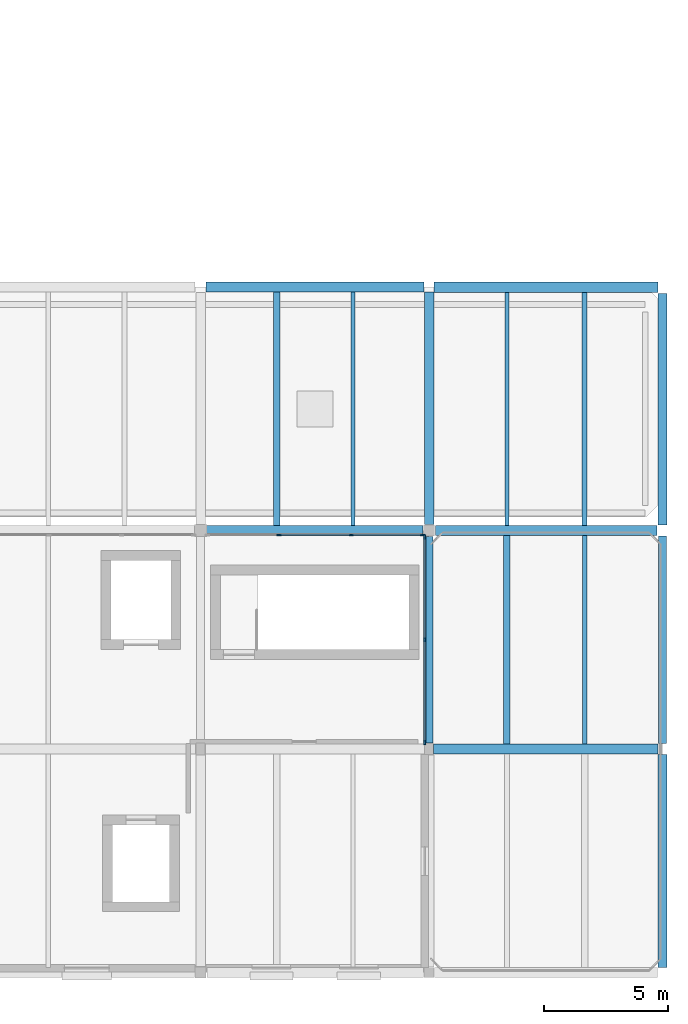
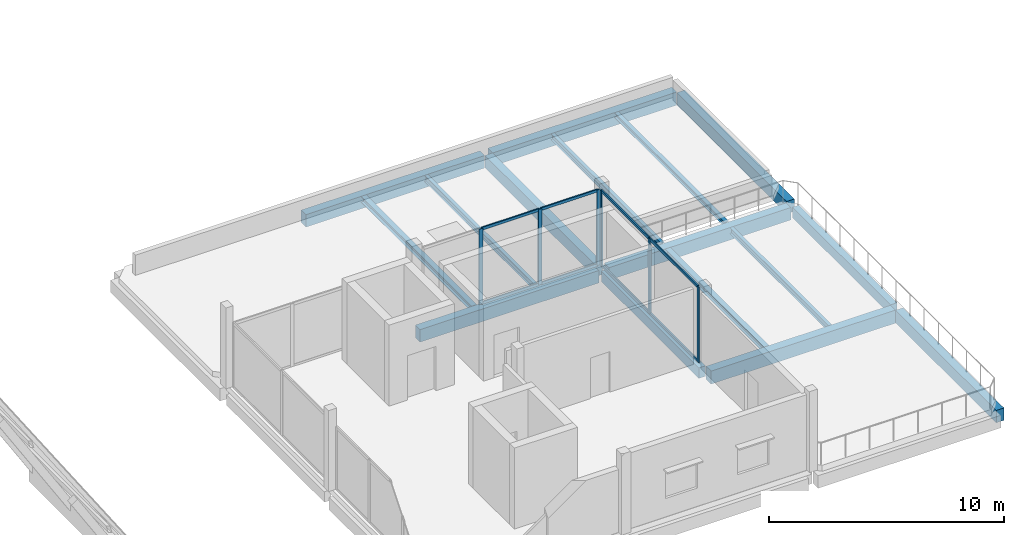
# One storey, part 10 of 23: 16 beams, 14 members, 2 elements without a shape of their own.
"""IFC4 building model written with IfcOpenShell, lengths in metres."""

from ifc_helpers import new_model, si_unit, direction, frame, origin, origin_2d, place, context, subcontext, project, spatial, rectangle, i_section, extrude, material, layer, layer_set, material_profile, profile_set, type_object, element, aggregate, save


model = new_model("IFC4")

# Units and contexts
model_context = context("Model", 3, precision=1e-05, world=origin(), true_north=direction((0.0, 1.0)))
body_context = subcontext(model_context, "Body", "Model", "MODEL_VIEW")
ifc_project = project(units=[si_unit("LENGTHUNIT", "METRE"), si_unit("AREAUNIT", "SQUARE_METRE"), si_unit("VOLUMEUNIT", "CUBIC_METRE"), si_unit("PLANEANGLEUNIT", "RADIAN"), si_unit("MASSUNIT", "GRAM", prefix="KILO")], contexts=[model_context])

# Site, building, storey
site_placement = place(None, origin())
site = spatial("IfcSite", under=ifc_project, at=site_placement, CompositionType="ELEMENT")
building_placement = place(site_placement, origin())
building = spatial("IfcBuilding", under=site, at=building_placement, Name="Birchvale Park Specialist Clinic", CompositionType="ELEMENT")
storey_placement = place(building_placement, frame((0.0, 0.0, 18.0)))
storey = spatial("IfcBuildingStorey", under=building, at=storey_placement, Name="L04", CompositionType="ELEMENT", Elevation=18.0)

# Beams
ifc_material_1 = material(Name="Concrete C40/50", Category="concrete")
ifc_material_profile_1 = material_profile(ifc_material_1, rectangle(XDim=0.3798828125, YDim=0.639892578125, at=origin_2d()), Name="RCB-380x640")
ifc_profile_set_1 = profile_set([ifc_material_profile_1], Name="Concrete C40/50")
beam_type_1 = type_object("IfcBeamType", Name="BM-EXT-BG5", PredefinedType="BEAM", material=ifc_profile_set_1)
beam_1_placement = place(storey_placement, frame((146.39990234375, 34.85009765625, -0.594970703125), z_axis=(0.0, 1.0, 0.0), x_axis=(-1.0, 0.0, 0.0)))
element("IfcBeam", 1, at=beam_1_placement, inside=storey, type_object=beam_type_1, Name="V5 L04 Y girder 21", PredefinedType="BEAM", context=body_context, shape_type="SweptSolid", body=[
    extrude(rectangle(XDim=0.3798828125, YDim=0.639892578125, at=origin_2d()), origin(), (0.0, 0.0, 1.0), 9.349853515625),
])
beam_2_placement = place(storey_placement, frame((155.800048828125, 17.0, -0.6298828125), z_axis=(0.0, 1.0, 0.0), x_axis=(-1.0, 0.0, 0.0)))
element("IfcBeam", 2, at=beam_2_placement, inside=storey, type_object=beam_type_1, Name="V5 L04 Y girder 22", PredefinedType="BEAM", context=body_context, shape_type="SweptSolid", body=[
    extrude(rectangle(XDim=0.3798828125, YDim=0.639892578125, at=origin_2d()), origin(), (0.0, 0.0, 1.0), 8.574951171875),
])
beam_3_placement = place(storey_placement, frame((155.800048828125, 34.824951171875, -0.594970703125), z_axis=(0.0, 1.0, 0.0), x_axis=(-1.0, 0.0, 0.0)))
element("IfcBeam", 3, at=beam_3_placement, inside=storey, type_object=beam_type_1, Name="V5 L04 Y girder 24", PredefinedType="BEAM", context=body_context, shape_type="SweptSolid", body=[
    extrude(rectangle(XDim=0.3798828125, YDim=0.639892578125, at=origin_2d()), origin(), (0.0, 0.0, 1.0), 9.324951171875),
])
ifc_material_profile_2 = material_profile(ifc_material_1, rectangle(XDim=0.320068359375, YDim=0.5400390625, at=origin_2d()), Name="RCB-320x540")
ifc_profile_set_2 = profile_set([ifc_material_profile_2], Name="Concrete C40/50")
beam_type_2 = type_object("IfcBeamType", Name="BM-EXT-BG7", PredefinedType="BEAM", material=ifc_profile_set_2)
beam_4_placement = place(storey_placement, frame((146.39990234375, 26.050048828125, -0.580078125), z_axis=(0.0, 1.0, 0.0), x_axis=(-1.0, 0.0, 0.0)))
element("IfcBeam", 4, at=beam_4_placement, inside=storey, type_object=beam_type_2, Name="V5 L04 Y girder 20", PredefinedType="BEAM", context=body_context, shape_type="SweptSolid", body=[
    extrude(rectangle(XDim=0.320068359375, YDim=0.5400390625, at=origin_2d()), origin(), (0.0, 0.0, 1.0), 8.300048828125),
])
beam_5_placement = place(storey_placement, frame((155.800048828125, 26.02490234375, -0.580078125), z_axis=(0.0, 1.0, 0.0), x_axis=(-1.0, 0.0, 0.0)))
element("IfcBeam", 5, at=beam_5_placement, inside=storey, type_object=beam_type_2, Name="V5 L04 Y girder 23", PredefinedType="BEAM", context=body_context, shape_type="SweptSolid", body=[
    extrude(rectangle(XDim=0.320068359375, YDim=0.5400390625, at=origin_2d()), origin(), (0.0, 0.0, 1.0), 8.35009765625),
])
ifc_material_profile_3 = material_profile(ifc_material_1, rectangle(XDim=0.419921875, YDim=0.679931640625, at=origin_2d()), Name="RCB-420x680")
ifc_profile_set_3 = profile_set([ifc_material_profile_3], Name="Concrete C40/50")
beam_type_3 = type_object("IfcBeamType", Name="BM-INT-BG3", PredefinedType="BEAM", material=ifc_profile_set_3)
beam_6_placement = place(storey_placement, frame((146.574951171875, 25.800048828125, -0.64990234375), z_axis=(1.0, 0.0, 0.0), x_axis=(0.0, 1.0, 0.0)))
element("IfcBeam", 6, at=beam_6_placement, inside=storey, type_object=beam_type_3, Name="V5 L04 X girder 6", PredefinedType="BEAM", context=body_context, shape_type="SweptSolid", body=[
    extrude(rectangle(XDim=0.419921875, YDim=0.679931640625, at=origin_2d()), origin(), (0.0, 0.0, 1.0), 9.050048828125),
])
beam_7_placement = place(storey_placement, frame((146.60009765625, 44.39990234375, -0.614990234375), z_axis=(1.0, 0.0, 0.0), x_axis=(0.0, 1.0, 0.0)))
element("IfcBeam", 7, at=beam_7_placement, inside=storey, type_object=beam_type_3, Name="V5 L04 X girder 12", PredefinedType="BEAM", context=body_context, shape_type="SweptSolid", body=[
    extrude(rectangle(XDim=0.419921875, YDim=0.679931640625, at=origin_2d()), origin(), (0.0, 0.0, 1.0), 9.02490234375),
])
ifc_material_profile_4 = material_profile(ifc_material_1, rectangle(XDim=0.39990234375, YDim=0.64990234375, at=origin_2d()), Name="RCB-400x650")
ifc_profile_set_4 = profile_set([ifc_material_profile_4], Name="Concrete C40/50")
beam_type_4 = type_object("IfcBeamType", Name="BM-INT-BG4", PredefinedType="BEAM", material=ifc_profile_set_4)
beam_8_placement = place(storey_placement, frame((137.375, 34.60009765625, -0.60498046875), z_axis=(1.0, 0.0, 0.0), x_axis=(0.0, 1.0, 0.0)))
element("IfcBeam", 8, at=beam_8_placement, inside=storey, type_object=beam_type_4, Name="V5 L04 X girder 8", PredefinedType="BEAM", context=body_context, shape_type="SweptSolid", body=[
    extrude(rectangle(XDim=0.39990234375, YDim=0.64990234375, at=origin_2d()), origin(), (0.0, 0.0, 1.0), 8.77490234375),
])
beam_9_placement = place(storey_placement, frame((146.64990234375, 34.60009765625, -0.635009765625), z_axis=(1.0, 0.0, 0.0), x_axis=(0.0, 1.0, 0.0)))
element("IfcBeam", 9, at=beam_9_placement, inside=storey, type_object=beam_type_4, Name="V5 L04 X girder 9", PredefinedType="BEAM", context=body_context, shape_type="SweptSolid", body=[
    extrude(rectangle(XDim=0.39990234375, YDim=0.64990234375, at=origin_2d()), origin(), (0.0, 0.0, 1.0), 8.925048828125),
])
beam_10_placement = place(storey_placement, frame((137.425048828125, 44.39990234375, -0.60009765625), z_axis=(1.0, 0.0, 0.0), x_axis=(0.0, 1.0, 0.0)))
element("IfcBeam", 10, at=beam_10_placement, inside=storey, type_object=beam_type_4, Name="V5 L04 X girder 11", PredefinedType="BEAM", context=body_context, shape_type="SweptSolid", body=[
    extrude(rectangle(XDim=0.39990234375, YDim=0.64990234375, at=origin_2d()), origin(), (0.0, 0.0, 1.0), 8.77490234375),
])

# Curtain wall, members
ifc_material_2 = material(Name="Thermally broken anodised aluminium", Category="aluminium")
ifc_layer = layer(ifc_material_2, 0.195068359375)
ifc_layer_set = layer_set([ifc_layer], Name="Thermally broken anodised aluminium")
curtain_wall_type = type_object("IfcCurtainWallType", Name="CW-U2", PredefinedType="USERDEFINED", material=ifc_layer_set)
curtain_wall_1_placement = place(storey_placement, origin())
curtain_wall_1 = element("IfcCurtainWall", 11, at=curtain_wall_1_placement, inside=storey, type_object=curtain_wall_type, Name="V5 L04 glazed curtain wall 140", ObjectType="UNITISED", PredefinedType="USERDEFINED")
ifc_material_profile_5 = material_profile(ifc_material_2, rectangle(XDim=0.06494140625, YDim=0.179931640625, at=origin_2d()), Name="CWM-65x180")
ifc_profile_set_5 = profile_set([ifc_material_profile_5], Name="Thermally broken anodised aluminium")
member_type_1 = type_object("IfcMemberType", Name="CWM2", PredefinedType="MULLION", material=ifc_profile_set_5)
member_1_placement = place(storey_placement, frame((146.22509765625, 26.0576171875, 0.0), z_axis=(0.0, 0.0, 1.0), x_axis=(-1.0, 0.0, 0.0)))
member_1 = element("IfcMember", 12, at=member_1_placement, type_object=member_type_1, Name="CW mullion 1", PredefinedType="MULLION", context=body_context, shape_type="SweptSolid", body=[
    extrude(rectangle(XDim=0.06494140625, YDim=0.179931640625, at=origin_2d()), origin(), (0.0, 0.0, 1.0), 3.919921875),
])
member_2_placement = place(storey_placement, frame((146.22509765625, 30.199951171875, 0.0), z_axis=(0.0, 0.0, 1.0), x_axis=(-1.0, 0.0, 0.0)))
member_2 = element("IfcMember", 13, at=member_2_placement, type_object=member_type_1, Name="CW mullion 2", PredefinedType="MULLION", context=body_context, shape_type="SweptSolid", body=[
    extrude(rectangle(XDim=0.06494140625, YDim=0.179931640625, at=origin_2d()), origin(), (0.0, 0.0, 1.0), 3.919921875),
])
member_3_placement = place(storey_placement, frame((146.22509765625, 34.342529296875, 0.0), z_axis=(0.0, 0.0, 1.0), x_axis=(-1.0, 0.0, 0.0)))
member_3 = element("IfcMember", 14, at=member_3_placement, type_object=member_type_1, Name="CW mullion 3", PredefinedType="MULLION", context=body_context, shape_type="SweptSolid", body=[
    extrude(rectangle(XDim=0.06494140625, YDim=0.179931640625, at=origin_2d()), origin(), (0.0, 0.0, 1.0), 3.919921875),
])

curtain_wall_2_placement = place(storey_placement, origin())
curtain_wall_2 = element("IfcCurtainWall", 15, at=curtain_wall_2_placement, inside=storey, type_object=curtain_wall_type, Name="V5 L04 glazed curtain wall 141", ObjectType="UNITISED", PredefinedType="USERDEFINED")
member_4_placement = place(storey_placement, frame((146.142578125, 34.425048828125, 0.0), z_axis=(0.0, 0.0, 1.0), x_axis=(0.0, -1.0, 0.0)))
member_4 = element("IfcMember", 16, at=member_4_placement, type_object=member_type_1, Name="CW mullion 1", PredefinedType="MULLION", context=body_context, shape_type="SweptSolid", body=[
    extrude(rectangle(XDim=0.06494140625, YDim=0.179931640625, at=origin_2d()), origin(), (0.0, 0.0, 1.0), 3.919921875),
])
member_5_placement = place(storey_placement, frame((143.2666015625, 34.425048828125, 0.0), z_axis=(0.0, 0.0, 1.0), x_axis=(0.0, -1.0, 0.0)))
member_5 = element("IfcMember", 17, at=member_5_placement, type_object=member_type_1, Name="CW mullion 2", PredefinedType="MULLION", context=body_context, shape_type="SweptSolid", body=[
    extrude(rectangle(XDim=0.06494140625, YDim=0.179931640625, at=origin_2d()), origin(), (0.0, 0.0, 1.0), 3.919921875),
])
member_6_placement = place(storey_placement, frame((140.3583984375, 34.425048828125, 0.0), z_axis=(0.0, 0.0, 1.0), x_axis=(0.0, -1.0, 0.0)))
member_6 = element("IfcMember", 18, at=member_6_placement, type_object=member_type_1, Name="CW mullion 3", PredefinedType="MULLION", context=body_context, shape_type="SweptSolid", body=[
    extrude(rectangle(XDim=0.06494140625, YDim=0.179931640625, at=origin_2d()), origin(), (0.0, 0.0, 1.0), 3.919921875),
])

# Member
ifc_material_profile_6 = material_profile(ifc_material_2, rectangle(XDim=0.06494140625, YDim=0.139892578125, at=origin_2d()), Name="CWT-65x140")
ifc_profile_set_6 = profile_set([ifc_material_profile_6], Name="Thermally broken anodised aluminium")
member_type_2 = type_object("IfcMemberType", Name="CWT2", PredefinedType="USERDEFINED", material=ifc_profile_set_6)
member_7_placement = place(storey_placement, frame((146.22509765625, 26.090087890625, 0.032470703125), z_axis=(0.0, 1.0, 0.0), x_axis=(-1.0, 0.0, 0.0)))
member_7 = element("IfcMember", 19, at=member_7_placement, type_object=member_type_2, Name="CW transom 1.1", ObjectType="TRANSOM", PredefinedType="USERDEFINED", context=body_context, shape_type="SweptSolid", body=[
    extrude(rectangle(XDim=0.06494140625, YDim=0.139892578125, at=origin_2d()), origin(), (0.0, 0.0, 1.0), 4.077392578125),
])

member_8_placement = place(storey_placement, frame((146.22509765625, 26.090087890625, 3.887451171875), z_axis=(0.0, 1.0, 0.0), x_axis=(-1.0, 0.0, 0.0)))
member_8 = element("IfcMember", 20, at=member_8_placement, type_object=member_type_2, Name="CW transom 1.2", ObjectType="TRANSOM", PredefinedType="USERDEFINED", context=body_context, shape_type="SweptSolid", body=[
    extrude(rectangle(XDim=0.06494140625, YDim=0.139892578125, at=origin_2d()), origin(), (0.0, 0.0, 1.0), 4.077392578125),
])

member_9_placement = place(storey_placement, frame((146.22509765625, 30.232421875, 0.032470703125), z_axis=(0.0, 1.0, 0.0), x_axis=(-1.0, 0.0, 0.0)))
member_9 = element("IfcMember", 21, at=member_9_placement, type_object=member_type_2, Name="CW transom 2.1", ObjectType="TRANSOM", PredefinedType="USERDEFINED", context=body_context, shape_type="SweptSolid", body=[
    extrude(rectangle(XDim=0.06494140625, YDim=0.139892578125, at=origin_2d()), origin(), (0.0, 0.0, 1.0), 4.07763671875),
])

member_10_placement = place(storey_placement, frame((146.22509765625, 30.232421875, 3.887451171875), z_axis=(0.0, 1.0, 0.0), x_axis=(-1.0, 0.0, 0.0)))
member_10 = element("IfcMember", 22, at=member_10_placement, type_object=member_type_2, Name="CW transom 2.2", ObjectType="TRANSOM", PredefinedType="USERDEFINED", context=body_context, shape_type="SweptSolid", body=[
    extrude(rectangle(XDim=0.06494140625, YDim=0.139892578125, at=origin_2d()), origin(), (0.0, 0.0, 1.0), 4.07763671875),
])

aggregate(curtain_wall_1, [member_1, member_2, member_3, member_7, member_8, member_9, member_10])

member_11_placement = place(storey_placement, frame((146.110107421875, 34.425048828125, 0.032470703125), z_axis=(-1.0, 0.0, 0.0), x_axis=(0.0, -1.0, 0.0)))
member_11 = element("IfcMember", 23, at=member_11_placement, type_object=member_type_2, Name="CW transom 1.1", ObjectType="TRANSOM", PredefinedType="USERDEFINED", context=body_context, shape_type="SweptSolid", body=[
    extrude(rectangle(XDim=0.06494140625, YDim=0.139892578125, at=origin_2d()), origin(), (0.0, 0.0, 1.0), 2.81103515625),
])

member_12_placement = place(storey_placement, frame((146.110107421875, 34.425048828125, 3.887451171875), z_axis=(-1.0, 0.0, 0.0), x_axis=(0.0, -1.0, 0.0)))
member_12 = element("IfcMember", 24, at=member_12_placement, type_object=member_type_2, Name="CW transom 1.2", ObjectType="TRANSOM", PredefinedType="USERDEFINED", context=body_context, shape_type="SweptSolid", body=[
    extrude(rectangle(XDim=0.06494140625, YDim=0.139892578125, at=origin_2d()), origin(), (0.0, 0.0, 1.0), 2.81103515625),
])

member_13_placement = place(storey_placement, frame((143.234130859375, 34.425048828125, 0.032470703125), z_axis=(-1.0, 0.0, 0.0), x_axis=(0.0, -1.0, 0.0)))
member_13 = element("IfcMember", 25, at=member_13_placement, type_object=member_type_2, Name="CW transom 2.1", ObjectType="TRANSOM", PredefinedType="USERDEFINED", context=body_context, shape_type="SweptSolid", body=[
    extrude(rectangle(XDim=0.06494140625, YDim=0.139892578125, at=origin_2d()), origin(), (0.0, 0.0, 1.0), 2.84326171875),
])

member_14_placement = place(storey_placement, frame((143.234130859375, 34.425048828125, 3.887451171875), z_axis=(-1.0, 0.0, 0.0), x_axis=(0.0, -1.0, 0.0)))
member_14 = element("IfcMember", 26, at=member_14_placement, type_object=member_type_2, Name="CW transom 2.2", ObjectType="TRANSOM", PredefinedType="USERDEFINED", context=body_context, shape_type="SweptSolid", body=[
    extrude(rectangle(XDim=0.06494140625, YDim=0.139892578125, at=origin_2d()), origin(), (0.0, 0.0, 1.0), 2.84326171875),
])

aggregate(curtain_wall_2, [member_4, member_5, member_6, member_11, member_12, member_13, member_14])

# Beams
ifc_material_3 = material(Name="Steel ASTM A992 Grade 50", Category="steel")
ifc_material_profile_7 = material_profile(ifc_material_3, i_section(OverallWidth=0.25390625, OverallDepth=0.305908203125, WebThickness=0.0087890625, FlangeThickness=0.0146484375, at=origin_2d()), Name="W12X53")
ifc_profile_set_7 = profile_set([ifc_material_profile_7], Name="Steel ASTM A992 Grade 50")
beam_type_5 = type_object("IfcBeamType", Name="STL-INT-SJ2", PredefinedType="JOIST", material=ifc_profile_set_7)
beam_11_placement = place(storey_placement, frame((140.2666015625, 34.800048828125, -0.427978515625), z_axis=(0.0, 1.0, 0.0), x_axis=(-1.0, 0.0, 0.0)))
element("IfcBeam", 27, at=beam_11_placement, inside=storey, type_object=beam_type_5, Name="V5 L04 secondary floor joist 7", PredefinedType="JOIST", context=body_context, shape_type="SweptSolid", body=[
    extrude(i_section(OverallWidth=0.25390625, OverallDepth=0.305908203125, WebThickness=0.0087890625, FlangeThickness=0.0146484375, at=origin_2d()), origin(), (0.0, 0.0, 1.0), 9.39990234375),
])
beam_12_placement = place(storey_placement, frame((149.533203125, 26.010009765625, -0.462890625), z_axis=(0.0, 1.0, 0.0), x_axis=(-1.0, 0.0, 0.0)))
element("IfcBeam", 28, at=beam_12_placement, inside=storey, type_object=beam_type_5, Name="V5 L04 secondary floor joist 11", PredefinedType="JOIST", context=body_context, shape_type="SweptSolid", body=[
    extrude(i_section(OverallWidth=0.25390625, OverallDepth=0.305908203125, WebThickness=0.0087890625, FlangeThickness=0.0146484375, at=origin_2d()), origin(), (0.0, 0.0, 1.0), 8.389892578125),
])
ifc_material_profile_8 = material_profile(ifc_material_3, i_section(OverallWidth=0.1669921875, OverallDepth=0.31689453125, WebThickness=0.007568359375, FlangeThickness=0.01318359375, at=origin_2d()), Name="W12X35")
ifc_profile_set_8 = profile_set([ifc_material_profile_8], Name="Steel ASTM A992 Grade 50")
beam_type_6 = type_object("IfcBeamType", Name="STL-INT-SJ3", PredefinedType="JOIST", material=ifc_profile_set_8)
beam_13_placement = place(storey_placement, frame((143.333251953125, 34.800048828125, -0.43359375), z_axis=(0.0, 1.0, 0.0), x_axis=(-1.0, 0.0, 0.0)))
element("IfcBeam", 29, at=beam_13_placement, inside=storey, type_object=beam_type_6, Name="V5 L04 secondary floor joist 8", PredefinedType="JOIST", context=body_context, shape_type="SweptSolid", body=[
    extrude(i_section(OverallWidth=0.1669921875, OverallDepth=0.31689453125, WebThickness=0.007568359375, FlangeThickness=0.01318359375, at=origin_2d()), origin(), (0.0, 0.0, 1.0), 9.39990234375),
])
beam_14_placement = place(storey_placement, frame((152.666748046875, 26.010009765625, -0.468505859375), z_axis=(0.0, 1.0, 0.0), x_axis=(-1.0, 0.0, 0.0)))
element("IfcBeam", 30, at=beam_14_placement, inside=storey, type_object=beam_type_6, Name="V5 L04 secondary floor joist 12", PredefinedType="JOIST", context=body_context, shape_type="SweptSolid", body=[
    extrude(i_section(OverallWidth=0.1669921875, OverallDepth=0.31689453125, WebThickness=0.007568359375, FlangeThickness=0.01318359375, at=origin_2d()), origin(), (0.0, 0.0, 1.0), 8.389892578125),
])
beam_15_placement = place(storey_placement, frame((149.533203125, 34.800048828125, -0.43359375), z_axis=(0.0, 1.0, 0.0), x_axis=(-1.0, 0.0, 0.0)))
element("IfcBeam", 31, at=beam_15_placement, inside=storey, type_object=beam_type_6, Name="V5 L04 secondary floor joist 13", PredefinedType="JOIST", context=body_context, shape_type="SweptSolid", body=[
    extrude(i_section(OverallWidth=0.1669921875, OverallDepth=0.31689453125, WebThickness=0.007568359375, FlangeThickness=0.01318359375, at=origin_2d()), origin(), (0.0, 0.0, 1.0), 9.389892578125),
])
ifc_material_profile_9 = material_profile(ifc_material_3, i_section(OverallWidth=0.202880859375, OverallDepth=0.251953125, WebThickness=0.008056640625, FlangeThickness=0.013427734375, at=origin_2d()), Name="W10X39")
ifc_profile_set_9 = profile_set([ifc_material_profile_9], Name="Steel ASTM A992 Grade 50")
beam_type_7 = type_object("IfcBeamType", Name="STL-INT-SJ4", PredefinedType="JOIST", material=ifc_profile_set_9)
beam_16_placement = place(storey_placement, frame((152.666748046875, 34.800048828125, -0.40087890625), z_axis=(0.0, 1.0, 0.0), x_axis=(-1.0, 0.0, 0.0)))
element("IfcBeam", 32, at=beam_16_placement, inside=storey, type_object=beam_type_7, Name="V5 L04 secondary floor joist 14", PredefinedType="JOIST", context=body_context, shape_type="SweptSolid", body=[
    extrude(i_section(OverallWidth=0.202880859375, OverallDepth=0.251953125, WebThickness=0.008056640625, FlangeThickness=0.013427734375, at=origin_2d()), origin(), (0.0, 0.0, 1.0), 9.389892578125),
])

save(model, "model.ifc")
